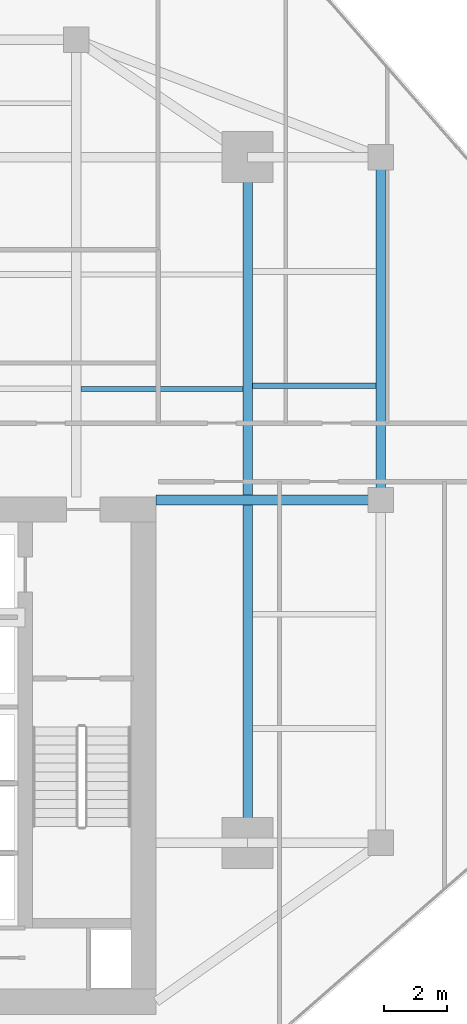
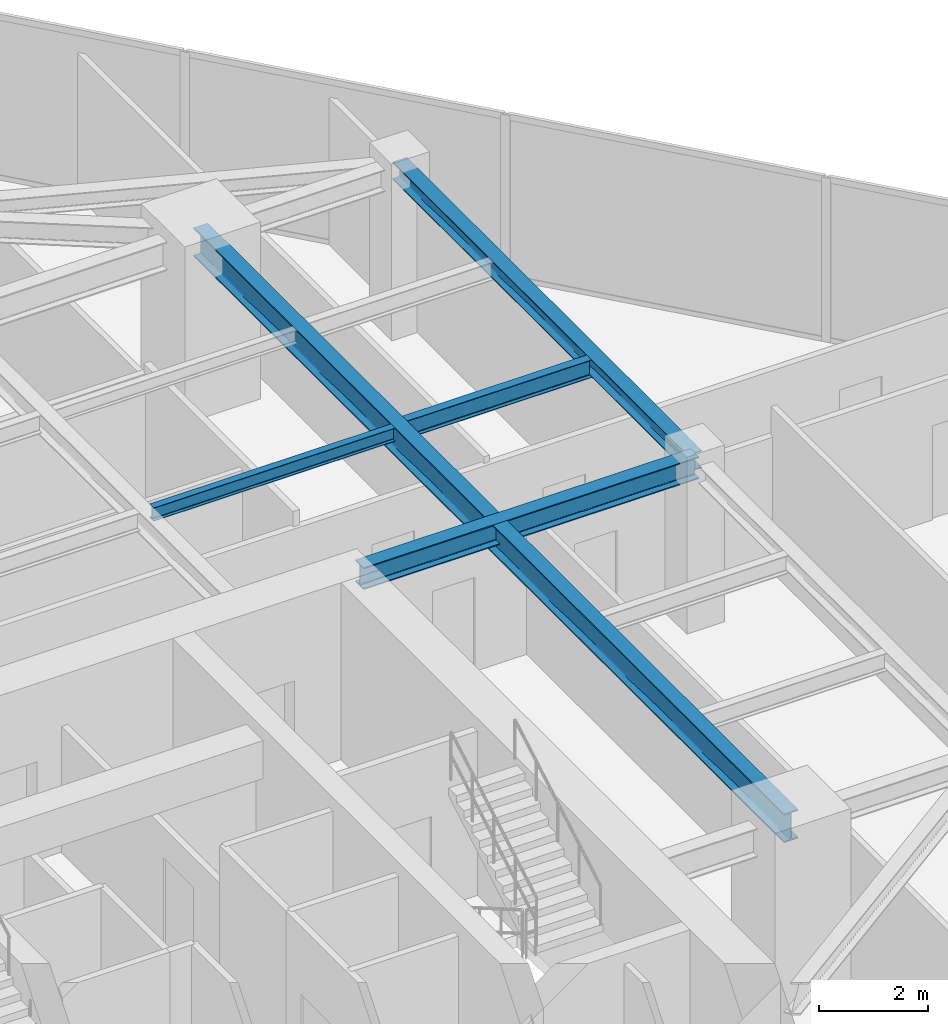
# One storey, part 11 of 24: 5 beams.
"""IFC4 building model written with IfcOpenShell, lengths in metres."""

import ifcopenshell
import ifcopenshell.guid

model = None  # the IFC model being written
_history = None  # IfcOwnerHistory: only IFC2X3 demands one
_inside = {}  # id of a spatial element -> (the spatial element, [elements in it])
_under = {}  # id of a project, library or spatial element -> (it, [spatial elements below it])
_declared = {}  # id of a project -> (the project, [libraries it declares])
_typed = {}  # id of a type object -> (the type object, [elements of that type])
_made_of = {}  # id of a material, layer set ... -> (it, [elements and type objects made of it])


def new_model(schema):
    """Start an empty IFC model of exactly this schema.

    Asked for "IFC4X3", IfcOpenShell would pick the latest addendum, in which some entities
    have other attributes; the version numbers below select the first issue.
    IFC2X3 requires an IfcOwnerHistory on every rooted entity: one is made here for all.
    """
    global model, _history
    if schema == "IFC4X3":
        model = ifcopenshell.file(schema_version=(4, 3, 0, 0))
    else:
        model = ifcopenshell.file(schema=schema)
    _inside.clear()
    _under.clear()
    _declared.clear()
    _typed.clear()
    _made_of.clear()
    _history = None
    if model.schema == "IFC2X3":
        org = make("IfcOrganization", Name="unknown")
        user = make(
            "IfcPersonAndOrganization",
            ThePerson=make("IfcPerson", FamilyName="unknown"),
            TheOrganization=org,
        )
        app = make(
            "IfcApplication",
            ApplicationDeveloper=org,
            Version="unknown",
            ApplicationFullName="unknown",
            ApplicationIdentifier="unknown",
        )
        _history = make(
            "IfcOwnerHistory",
            OwningUser=user,
            OwningApplication=app,
            ChangeAction="ADDED",
            CreationDate=0,
        )
    return model


def make(cls, **values):
    """One entity of the class cls with the attributes given. An attribute that is None is left unset."""
    return model.create_entity(
        cls, **{name: value for name, value in values.items() if value is not None}
    )


def rooted(cls, **values):
    """An entity with a GlobalId (a new one), such as an element, a storey or a relation."""
    return make(cls, GlobalId=ifcopenshell.guid.new(), OwnerHistory=_history, **values)


def si_unit(unit_type, name, prefix=None):
    """IfcSIUnit, for example si_unit("LENGTHUNIT", "METRE", prefix="MILLI")."""
    return make("IfcSIUnit", UnitType=unit_type, Prefix=prefix, Name=name)


def assignment(units):
    """IfcUnitAssignment: the units of a project."""
    return None if units is None else make("IfcUnitAssignment", Units=units)


def point(xyz):
    """IfcCartesianPoint."""
    return None if xyz is None else make("IfcCartesianPoint", Coordinates=xyz)


def direction(xyz):
    """IfcDirection."""
    return None if xyz is None else make("IfcDirection", DirectionRatios=xyz)


def frame(location, z_axis=None, x_axis=None):
    """IfcAxis2Placement3D, a coordinate frame: its origin and axes. An axis left out is left unset."""
    return make(
        "IfcAxis2Placement3D",
        Location=point(location),
        Axis=direction(z_axis),
        RefDirection=direction(x_axis),
    )


def frame_2d(location, x_axis=None):
    """IfcAxis2Placement2D, a coordinate frame in the plane: its origin and x axis."""
    return make(
        "IfcAxis2Placement2D", Location=point(location), RefDirection=direction(x_axis)
    )


def origin():
    """The frame at (0, 0, 0) with its axes left unset."""
    return frame((0.0, 0.0, 0.0))


def origin_2d():
    """The frame at (0, 0) in the plane with its x axis left unset."""
    return frame_2d((0.0, 0.0))


def place(relative_to, where):
    """IfcLocalPlacement: puts the frame where relative to a parent placement (None: the world)."""
    return make(
        "IfcLocalPlacement", PlacementRelTo=relative_to, RelativePlacement=where
    )


def context(
    kind, dimensions, precision=None, world=None, true_north=None, identifier=None
):
    """IfcGeometricRepresentationContext, for example the 3D "Model" context."""
    return make(
        "IfcGeometricRepresentationContext",
        ContextIdentifier=identifier,
        ContextType=kind,
        CoordinateSpaceDimension=dimensions,
        Precision=precision,
        WorldCoordinateSystem=world,
        TrueNorth=true_north,
    )


def subcontext(parent, identifier, kind, view, scale=None):
    """IfcGeometricRepresentationSubContext, for example "Body" below "Model"."""
    return make(
        "IfcGeometricRepresentationSubContext",
        ContextIdentifier=identifier,
        ContextType=kind,
        ParentContext=parent,
        TargetScale=scale,
        TargetView=view,
    )


def project(units=None, contexts=None):
    """IfcProject with its units and contexts."""
    return rooted(
        "IfcProject",
        Name="project",
        RepresentationContexts=contexts,
        UnitsInContext=assignment(units),
    )


def spatial(cls, under=None, at=None, **own):
    """A site, building, storey or space (cls), placed at a placement, below another one or the project."""
    s = rooted(cls, ObjectPlacement=at, **own)
    if under is not None:
        _under.setdefault(under.id(), (under, []))[1].append(s)
    return s


def profile(cls, at=None, kind="AREA", **sizes):
    """A parametric profile (cls). Its sizes go by their IFC names, for example OverallWidth=200.0."""
    return make(cls, ProfileType=kind, Position=at, **sizes)


def i_section(**sizes):
    """IfcIShapeProfileDef."""
    return profile("IfcIShapeProfileDef", **sizes)


def extrude(swept, where, along, depth):
    """IfcExtrudedAreaSolid: the profile swept, set in the frame where, extruded along a direction by depth."""
    return make(
        "IfcExtrudedAreaSolid",
        SweptArea=swept,
        Position=where,
        ExtrudedDirection=direction(along),
        Depth=depth,
    )


def shape(context_of_items, identifier, shape_type, items):
    """IfcShapeRepresentation: the items that make up one representation, for example the "Body"."""
    return make(
        "IfcShapeRepresentation",
        ContextOfItems=context_of_items,
        RepresentationIdentifier=identifier,
        RepresentationType=shape_type,
        Items=items,
    )


def source(mapping_origin, context_of_items, identifier, shape_type, items):
    """IfcRepresentationMap: a shape defined once, which mapped items show again and again."""
    return make(
        "IfcRepresentationMap",
        MappingOrigin=mapping_origin,
        MappedRepresentation=shape(context_of_items, identifier, shape_type, items),
    )


def transform(
    local_origin,
    x_axis=None,
    y_axis=None,
    z_axis=None,
    scale=None,
    scale2=None,
    scale3=None,
    uniform=True,
):
    """IfcCartesianTransformationOperator3D, or its non-uniform kind. x_axis, y_axis, z_axis: its Axis1, 2, 3."""
    if uniform:
        return make(
            "IfcCartesianTransformationOperator3D",
            Axis1=direction(x_axis),
            Axis2=direction(y_axis),
            LocalOrigin=point(local_origin),
            Scale=scale,
            Axis3=direction(z_axis),
        )
    return make(
        "IfcCartesianTransformationOperator3DnonUniform",
        Axis1=direction(x_axis),
        Axis2=direction(y_axis),
        LocalOrigin=point(local_origin),
        Scale=scale,
        Axis3=direction(z_axis),
        Scale2=scale2,
        Scale3=scale3,
    )


def mapped(mapping_source, mapping_target):
    """IfcMappedItem: shows the shape of a source again, moved by a transform."""
    return make(
        "IfcMappedItem", MappingSource=mapping_source, MappingTarget=mapping_target
    )


def material(Name=None, Category=None):
    """IfcMaterial."""
    return make("IfcMaterial", Name=Name, Category=Category)


def material_profile(
    of_material, cross_section, Name=None, Category=None, Priority=None
):
    """IfcMaterialProfile: a cross section and its material."""
    return make(
        "IfcMaterialProfile",
        Name=Name,
        Material=of_material,
        Profile=cross_section,
        Priority=Priority,
        Category=Category,
    )


def profile_set(profiles, Name=None, composite=None):
    """IfcMaterialProfileSet."""
    return make(
        "IfcMaterialProfileSet",
        Name=Name,
        MaterialProfiles=profiles,
        CompositeProfile=composite,
    )


def made_of(thing, what):
    """Note that an element or type object is made of a material, layer set ...; save() writes the relation."""
    if what is not None:
        _made_of.setdefault(what.id(), (what, []))[1].append(thing)
    return thing


def type_object(cls, material=None, **own):
    """A type object (cls), such as IfcWallType, which elements share."""
    return made_of(rooted(cls, **own), material)


def type_shapes(of_type, sources):
    """Give a type object the sources (RepresentationMaps) that its elements show as mapped items."""
    of_type.RepresentationMaps = sources


def element(
    cls,
    number,
    at=None,
    inside=None,
    cuts=None,
    type_object=None,
    material=None,
    context=None,
    identifier="Body",
    shape_type=None,
    held_by="IfcProductDefinitionShape",
    body=None,
    shapes=None,
    **own,
):
    """One element of the class cls, such as IfcWall. Its Tag is "e" and its number.

    at: its placement. inside: the storey or other place that contains it. cuts: it is an
    opening in that element (IfcRelVoidsElement). A single representation is given by context,
    identifier, shape_type and body (its items); several are given by shapes. held_by: the class
    of the entity that holds the representations. save() writes the other relations.
    """
    e = rooted(cls, Tag="e%d" % number, ObjectPlacement=at, **own)
    if body is not None:
        shapes = [shape(context, identifier, shape_type, body)]
    if shapes is not None:
        e.Representation = make(held_by, Representations=shapes)
    if inside is not None:
        _inside.setdefault(inside.id(), (inside, []))[1].append(e)
    if cuts is not None:
        rooted(
            "IfcRelVoidsElement", RelatingBuildingElement=cuts, RelatedOpeningElement=e
        )
    if type_object is not None:
        _typed.setdefault(type_object.id(), (type_object, []))[1].append(e)
    return made_of(e, material)


def aggregate(whole, parts):
    """IfcRelAggregates: a whole, such as a stair, and the parts it consists of."""
    return rooted("IfcRelAggregates", RelatingObject=whole, RelatedObjects=parts)


def save(model, path):
    """Write the relations noted so far, then the file.

    IfcRelAggregates (storeys below a building ...), IfcRelContainedInSpatialStructure (elements
    in a storey), IfcRelDefinesByType, IfcRelAssociatesMaterial and IfcRelDeclares: one each for
    every whole, place, type object, material and project.
    """
    for whole, parts in _under.values():
        aggregate(whole, parts)
    for where, things in _inside.values():
        rooted(
            "IfcRelContainedInSpatialStructure",
            RelatedElements=things,
            RelatingStructure=where,
        )
    for kind, things in _typed.values():
        rooted("IfcRelDefinesByType", RelatedObjects=things, RelatingType=kind)
    for what, things in _made_of.values():
        rooted("IfcRelAssociatesMaterial", RelatedObjects=things, RelatingMaterial=what)
    for by, libraries in _declared.values():
        rooted("IfcRelDeclares", RelatingContext=by, RelatedDefinitions=libraries)
    model.write(path)


model = new_model("IFC4")

# Units and contexts
model_context = context("Model", 3, precision=1e-05, world=origin(), true_north=direction((0.0, 1.0)))
body_context = subcontext(model_context, "Body", "Model", "MODEL_VIEW")
ifc_project = project(units=[si_unit("LENGTHUNIT", "METRE"), si_unit("AREAUNIT", "SQUARE_METRE"), si_unit("VOLUMEUNIT", "CUBIC_METRE"), si_unit("PLANEANGLEUNIT", "RADIAN"), si_unit("MASSUNIT", "GRAM", prefix="KILO")], contexts=[model_context])

# Site, building, storey
site_placement = place(None, origin())
site = spatial("IfcSite", under=ifc_project, at=site_placement, CompositionType="ELEMENT")
building_placement = place(site_placement, origin())
building = spatial("IfcBuilding", under=site, at=building_placement, Name="Krantzveldt Concourse Tower", CompositionType="ELEMENT")
storey_placement = place(building_placement, frame((0.0, 0.0, 250.75)))
storey = spatial("IfcBuildingStorey", under=building, at=storey_placement, Name="L61", CompositionType="ELEMENT", Elevation=250.75)

# Beams
ifc_material = material(Name="Steel S355JR", Category="steel")
ifc_material_profile_1 = material_profile(ifc_material, i_section(OverallWidth=0.300048828125, OverallDepth=0.639892578125, WebThickness=0.013427734375, FlangeThickness=0.02587890625, FilletRadius=0.027099609375, at=origin_2d()), Name="Steel S355JR", Category="steel")
ifc_profile_set_1 = profile_set([ifc_material_profile_1], Name="Steel S355JR - HEA 650")
beam_type_1 = type_object("IfcBeamType", Name="BM-B-HEA650", PredefinedType="BEAM", material=ifc_profile_set_1)
shared_shape_1 = source(origin(), body_context, "Body", "SweptSolid", [
    extrude(i_section(OverallWidth=0.300048828125, OverallDepth=0.639892578125, WebThickness=0.013427734375, FlangeThickness=0.02587890625, FilletRadius=0.027099609375, at=origin_2d()), origin(), (0.0, 0.0, 1.0), 21.60009765625),
])
type_shapes(beam_type_1, [shared_shape_1])
beam_1_placement = place(storey_placement, frame((46.800048828125, 15.89990234375, 3.35009765625), z_axis=(0.0, 1.0, 0.0), x_axis=(-1.0, 0.0, 0.0)))
element("IfcBeam", 1, at=beam_1_placement, inside=storey, type_object=beam_type_1, Name="L61 Tower Girder BG-ME", PredefinedType="BEAM", context=body_context, shape_type="MappedRepresentation", body=[
    mapped(shared_shape_1, transform((0.0, 0.0, 0.0), x_axis=(1.0, 0.0, 0.0), y_axis=(0.0, 1.0, 0.0), z_axis=(0.0, 0.0, 1.0), scale=1.0)),
])
ifc_material_profile_2 = material_profile(ifc_material, i_section(OverallWidth=0.300048828125, OverallDepth=0.389892578125, WebThickness=0.010986328125, FlangeThickness=0.01904296875, FilletRadius=0.027099609375, at=origin_2d()), Name="Steel S355JR", Category="steel")
ifc_profile_set_2 = profile_set([ifc_material_profile_2], Name="Steel S355JR - HEA 400")
beam_type_2 = type_object("IfcBeamType", Name="BM-SP-HEA400", PredefinedType="SPANDREL", material=ifc_profile_set_2)
shared_shape_2 = source(origin(), body_context, "Body", "SweptSolid", [
    extrude(i_section(OverallWidth=0.300048828125, OverallDepth=0.389892578125, WebThickness=0.010986328125, FlangeThickness=0.01904296875, FilletRadius=0.027099609375, at=origin_2d()), origin(), (0.0, 0.0, 1.0), 10.800048828125),
])
type_shapes(beam_type_2, [shared_shape_2])
beam_2_placement = place(storey_placement, frame((51.0, 37.5, 3.47509765625), z_axis=(0.0, -1.0, 0.0), x_axis=(1.0, 0.0, 0.0)))
element("IfcBeam", 2, at=beam_2_placement, inside=storey, type_object=beam_type_2, Name="L61 Tower Girder SP-R06", PredefinedType="SPANDREL", context=body_context, shape_type="MappedRepresentation", body=[
    mapped(shared_shape_2, transform((0.0, 0.0, 0.0), x_axis=(1.0, 0.0, 0.0), y_axis=(0.0, 1.0, 0.0), z_axis=(0.0, 0.0, 1.0), scale=1.0)),
])
ifc_material_profile_3 = material_profile(ifc_material, i_section(OverallWidth=0.300048828125, OverallDepth=0.489990234375, WebThickness=0.011962890625, FlangeThickness=0.02294921875, FilletRadius=0.027099609375, at=origin_2d()), Name="Steel S355JR", Category="steel")
ifc_profile_set_3 = profile_set([ifc_material_profile_3], Name="Steel S355JR - HEA 500")
beam_type_3 = type_object("IfcBeamType", Name="BM-B-HEA500", PredefinedType="BEAM", material=ifc_profile_set_3)
shared_shape_3 = source(origin(), body_context, "Body", "SweptSolid", [
    extrude(i_section(OverallWidth=0.300048828125, OverallDepth=0.489990234375, WebThickness=0.011962890625, FlangeThickness=0.02294921875, FilletRadius=0.027099609375, at=origin_2d()), origin(), (0.0, 0.0, 1.0), 7.080078125),
])
type_shapes(beam_type_3, [shared_shape_3])
beam_3_placement = place(storey_placement, frame((43.919921875, 26.699951171875, 3.425048828125), z_axis=(1.0, 0.0, 0.0), x_axis=(0.0, 1.0, 0.0)))
element("IfcBeam", 3, at=beam_3_placement, inside=storey, type_object=beam_type_3, Name="L61 Tower Girder BG-CE2", PredefinedType="BEAM", context=body_context, shape_type="MappedRepresentation", body=[
    mapped(shared_shape_3, transform((0.0, 0.0, 0.0), x_axis=(1.0, 0.0, 0.0), y_axis=(0.0, 1.0, 0.0), z_axis=(0.0, 0.0, 1.0), scale=1.0)),
])
ifc_material_profile_4 = material_profile(ifc_material, i_section(OverallWidth=0.14990234375, OverallDepth=0.300048828125, WebThickness=0.007080078125, FlangeThickness=0.0107421875, FilletRadius=0.014892578125, at=origin_2d()), Name="Steel S355JR", Category="steel")
ifc_profile_set_4 = profile_set([ifc_material_profile_4], Name="Steel S355JR - IPE 300")
beam_type_4 = type_object("IfcBeamType", Name="BM-J-IPE300", PredefinedType="JOIST", material=ifc_profile_set_4)
shared_shape_4 = source(origin(), body_context, "Body", "SweptSolid", [
    extrude(i_section(OverallWidth=0.14990234375, OverallDepth=0.300048828125, WebThickness=0.007080078125, FlangeThickness=0.0107421875, FilletRadius=0.014892578125, at=origin_2d()), origin(), (0.0, 0.0, 1.0), 5.099853515625),
])
type_shapes(beam_type_4, [shared_shape_4])
beam_4_placement = place(storey_placement, frame((41.550048828125, 30.199951171875, 3.52001953125), z_axis=(1.0, 0.0, 0.0), x_axis=(0.0, 1.0, 0.0)))
element("IfcBeam", 4, at=beam_4_placement, inside=storey, type_object=beam_type_4, Name="L61 Secondary Floor Joist JN-E1", PredefinedType="JOIST", context=body_context, shape_type="MappedRepresentation", body=[
    mapped(shared_shape_4, transform((0.0, 0.0, 0.0), x_axis=(1.0, 0.0, 0.0), y_axis=(0.0, 1.0, 0.0), z_axis=(0.0, 0.0, 1.0), scale=1.0)),
])
ifc_material_profile_5 = material_profile(ifc_material, i_section(OverallWidth=0.179931640625, OverallDepth=0.39990234375, WebThickness=0.008544921875, FlangeThickness=0.013427734375, FilletRadius=0.02099609375, at=origin_2d()), Name="Steel S355JR", Category="steel")
ifc_profile_set_5 = profile_set([ifc_material_profile_5], Name="Steel S355JR - IPE 400")
beam_type_5 = type_object("IfcBeamType", Name="BM-J-IPE400", PredefinedType="JOIST", material=ifc_profile_set_5)
shared_shape_5 = source(origin(), body_context, "Body", "SweptSolid", [
    extrude(i_section(OverallWidth=0.179931640625, OverallDepth=0.39990234375, WebThickness=0.008544921875, FlangeThickness=0.013427734375, FilletRadius=0.02099609375, at=origin_2d()), origin(), (0.0, 0.0, 1.0), 3.900146484375),
])
type_shapes(beam_type_5, [shared_shape_5])
beam_5_placement = place(storey_placement, frame((46.949951171875, 30.300048828125, 3.469970703125), z_axis=(1.0, 0.0, 0.0), x_axis=(0.0, 1.0, 0.0)))
element("IfcBeam", 5, at=beam_5_placement, inside=storey, type_object=beam_type_5, Name="L61 Secondary Floor Joist JE-3", PredefinedType="JOIST", context=body_context, shape_type="MappedRepresentation", body=[
    mapped(shared_shape_5, transform((0.0, 0.0, 0.0), x_axis=(1.0, 0.0, 0.0), y_axis=(0.0, 1.0, 0.0), z_axis=(0.0, 0.0, 1.0), scale=1.0)),
])

save(model, "model.ifc")
